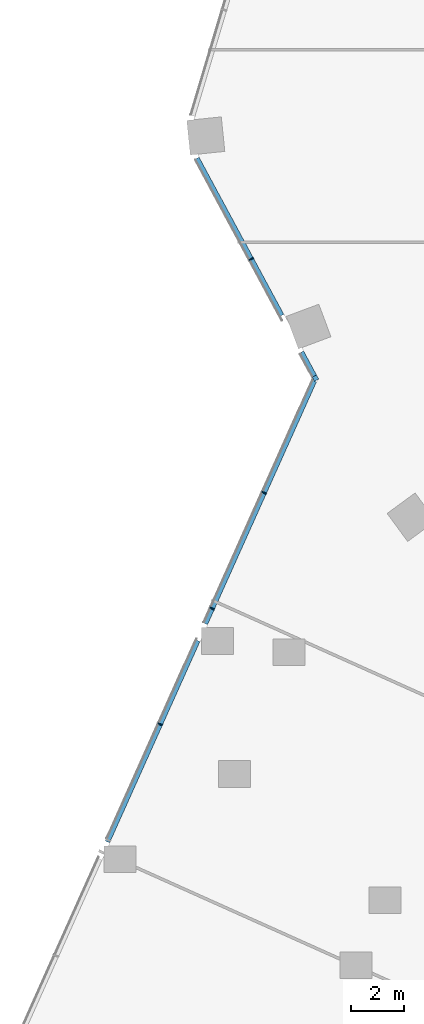
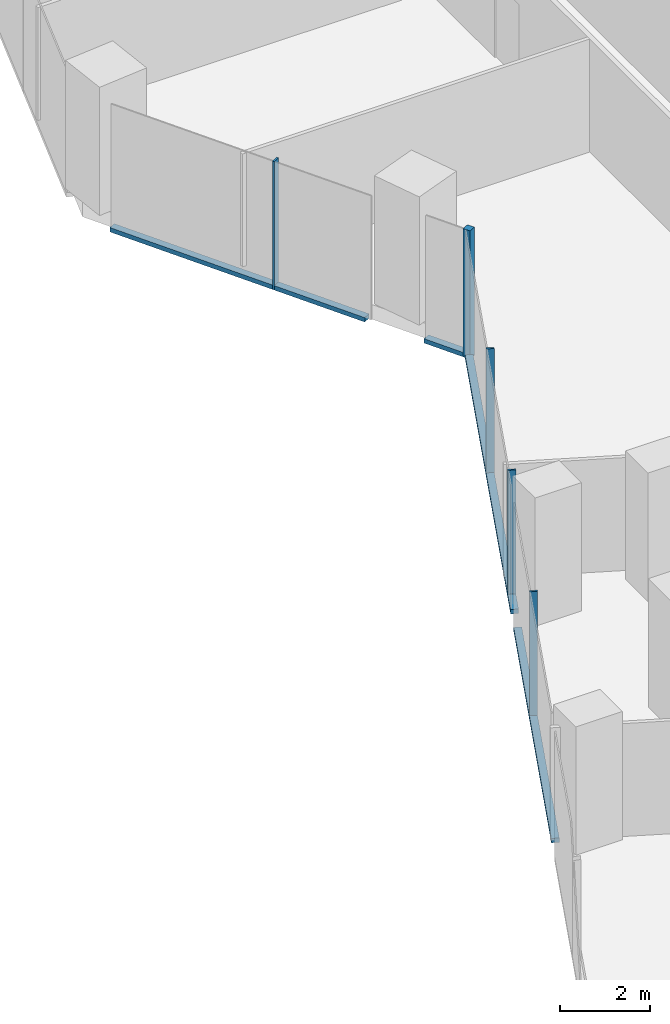
# One storey, part 6 of 34: 9 members, 2 elements without a shape of their own.
"""IFC4 building model written with IfcOpenShell, lengths in metres."""

from ifc_helpers import new_model, si_unit, direction, frame, origin, origin_2d, place, context, subcontext, project, spatial, rectangle, extrude, material, material_profile, profile_set, type_object, element, aggregate, save


model = new_model("IFC4")

# Units and contexts
model_context = context("Model", 3, precision=1e-05, world=origin(), true_north=direction((0.0, 1.0)))
body_context = subcontext(model_context, "Body", "Model", "MODEL_VIEW")
ifc_project = project(units=[si_unit("LENGTHUNIT", "METRE"), si_unit("AREAUNIT", "SQUARE_METRE"), si_unit("VOLUMEUNIT", "CUBIC_METRE"), si_unit("PLANEANGLEUNIT", "RADIAN"), si_unit("MASSUNIT", "GRAM", prefix="KILO")], contexts=[model_context])

# Site, building, storey
site_placement = place(None, origin())
site = spatial("IfcSite", under=ifc_project, at=site_placement, CompositionType="ELEMENT")
building_placement = place(site_placement, origin())
building = spatial("IfcBuilding", under=site, at=building_placement, Name="Orlundy Tower", CompositionType="ELEMENT")
storey_placement = place(building_placement, frame((0.0, 0.0, 130.699951171875)))
storey = spatial("IfcBuildingStorey", under=building, at=storey_placement, Name="L33", CompositionType="ELEMENT", Elevation=130.699951171875)

# Curtain wall, member
ifc_material_1 = material(Name="Aluminium bronze anodised", Category="aluminium")
curtain_wall_type = type_object("IfcCurtainWallType", Name="CW1 wall", PredefinedType="NOTDEFINED", material=ifc_material_1)
curtain_wall_1_placement = place(storey_placement, origin())
curtain_wall_1 = element("IfcCurtainWall", 1, at=curtain_wall_1_placement, inside=storey, type_object=curtain_wall_type, Name="CW1 run 01", PredefinedType="NOTDEFINED")
ifc_material_2 = material(Name="Aluminium bronze anodised", Category="aluminium")
ifc_material_profile_1 = material_profile(ifc_material_2, rectangle(XDim=0.179931640625, YDim=0.179931640625, at=origin_2d()), Name="CW1 corner post 180x180")
ifc_profile_set_1 = profile_set([ifc_material_profile_1], Name="Aluminium bronze anodised")
member_type_1 = type_object("IfcMemberType", Name="CW1 corner post 180x180", PredefinedType="MULLION", material=ifc_profile_set_1)
member_1_placement = place(storey_placement, frame((-27.545166015625, -12.314697265625, -0.39990234375), z_axis=(0.0, 0.0, 1.0), x_axis=(-0.880188659482, -0.4746239814, 0.0)))
member_1 = element("IfcMember", 2, at=member_1_placement, type_object=member_type_1, Name="CW1 mullion 7", PredefinedType="MULLION", context=body_context, shape_type="SweptSolid", body=[
    extrude(rectangle(XDim=0.179931640625, YDim=0.179931640625, at=origin_2d()), origin(), (0.0, 0.0, 1.0), 3.5),
])

# Curtain wall, members
curtain_wall_2_placement = place(storey_placement, origin())
curtain_wall_2 = element("IfcCurtainWall", 3, at=curtain_wall_2_placement, inside=storey, type_object=curtain_wall_type, Name="CW1 run 00", PredefinedType="NOTDEFINED")
ifc_material_3 = material(Name="Aluminium bronze anodised", Category="aluminium")
ifc_material_profile_2 = material_profile(ifc_material_3, rectangle(XDim=0.179931640625, YDim=0.050048828125, at=origin_2d()), Name="CW1 mullion 50x180")
ifc_profile_set_2 = profile_set([ifc_material_profile_2], Name="Aluminium bronze anodised")
member_type_2 = type_object("IfcMemberType", Name="CW1 mullion 50x180", PredefinedType="MULLION", material=ifc_profile_set_2)
member_2_placement = place(storey_placement, frame((-33.36767578125, -25.28955078125, -0.39990234375), z_axis=(0.0, 0.0, 1.0), x_axis=(-0.912353169834, 0.409404071174, 0.0)))
member_2 = element("IfcMember", 4, at=member_2_placement, type_object=member_type_2, Name="CW1 mullion 4", PredefinedType="MULLION", context=body_context, shape_type="SweptSolid", body=[
    extrude(rectangle(XDim=0.179931640625, YDim=0.050048828125, at=origin_2d()), origin(), (0.0, 0.0, 1.0), 3.5),
])
member_3_placement = place(storey_placement, frame((-31.4208984375, -20.951171875, -0.39990234375), z_axis=(0.0, 0.0, 1.0), x_axis=(-0.912353169834, 0.409404071174, 0.0)))
member_3 = element("IfcMember", 5, at=member_3_placement, type_object=member_type_2, Name="CW1 mullion 5", PredefinedType="MULLION", context=body_context, shape_type="SweptSolid", body=[
    extrude(rectangle(XDim=0.179931640625, YDim=0.050048828125, at=origin_2d()), origin(), (0.0, 0.0, 1.0), 3.5),
])
member_4_placement = place(storey_placement, frame((-29.473876953125, -16.612548828125, -0.39990234375), z_axis=(0.0, 0.0, 1.0), x_axis=(-0.912353169834, 0.409404071174, 0.0)))
member_4 = element("IfcMember", 6, at=member_4_placement, type_object=member_type_2, Name="CW1 mullion 6", PredefinedType="MULLION", context=body_context, shape_type="SweptSolid", body=[
    extrude(rectangle(XDim=0.179931640625, YDim=0.050048828125, at=origin_2d()), origin(), (0.0, 0.0, 1.0), 3.5),
])

# Member
member_5_placement = place(storey_placement, frame((-29.95361328125, -7.84814453125, -0.39990234375), z_axis=(0.0, 0.0, 1.0), x_axis=(-0.880188659482, -0.4746239814, 0.0)))
member_5 = element("IfcMember", 7, at=member_5_placement, type_object=member_type_2, Name="CW1 mullion 8", PredefinedType="MULLION", context=body_context, shape_type="SweptSolid", body=[
    extrude(rectangle(XDim=0.179931640625, YDim=0.050048828125, at=origin_2d()), origin(), (0.0, 0.0, 1.0), 3.5),
])

ifc_material_4 = material(Name="Aluminium bronze anodised", Category="aluminium")
ifc_material_profile_3 = material_profile(ifc_material_4, rectangle(XDim=0.179931640625, YDim=0.1201171875, at=origin_2d()), Name="CW1 transom 180x120")
ifc_profile_set_3 = profile_set([ifc_material_profile_3], Name="Aluminium bronze anodised")
member_type_3 = type_object("IfcMemberType", Name="CW1 transom 180x120", PredefinedType="USERDEFINED", material=ifc_profile_set_3)
member_6_placement = place(storey_placement, frame((-35.344970703125, -29.696044921875, -0.33984375), z_axis=(0.409415362289, 0.91234810304, 0.0), x_axis=(-0.91234810304, 0.409415362289, 0.0)))
member_6 = element("IfcMember", 8, at=member_6_placement, type_object=member_type_3, Name="CW1 transom", ObjectType="TRANSOM", PredefinedType="USERDEFINED", context=body_context, shape_type="SweptSolid", body=[
    extrude(rectangle(XDim=0.179931640625, YDim=0.1201171875, at=origin_2d()), origin(), (0.0, 0.0, 1.0), 8.267822265625),
])

member_7_placement = place(storey_placement, frame((-31.67431640625, -21.51611328125, -0.33984375), z_axis=(0.40940244043, 0.912353901603, 0.0), x_axis=(-0.912353901603, 0.40940244043, 0.0)))
member_7 = element("IfcMember", 9, at=member_7_placement, type_object=member_type_3, Name="CW1 transom", ObjectType="TRANSOM", PredefinedType="USERDEFINED", context=body_context, shape_type="SweptSolid", body=[
    extrude(rectangle(XDim=0.179931640625, YDim=0.1201171875, at=origin_2d()), origin(), (0.0, 0.0, 1.0), 9.971923828125),
])

aggregate(curtain_wall_2, [member_2, member_3, member_4, member_6, member_7])

member_8_placement = place(storey_placement, frame((-27.587890625, -12.2353515625, -0.33984375), z_axis=(-0.474768358729, 0.880110791634, 0.0), x_axis=(-0.880110791634, -0.474768358729, 0.0)))
member_8 = element("IfcMember", 10, at=member_8_placement, type_object=member_type_3, Name="CW1 transom", ObjectType="TRANSOM", PredefinedType="USERDEFINED", context=body_context, shape_type="SweptSolid", body=[
    extrude(rectangle(XDim=0.179931640625, YDim=0.1201171875, at=origin_2d()), origin(), (0.0, 0.0, 1.0), 1.0234375),
])

member_9_placement = place(storey_placement, frame((-28.814208984375, -9.96142578125, -0.33984375), z_axis=(-0.474628470518, 0.8801862388, 0.0), x_axis=(-0.8801862388, -0.474628470518, 0.0)))
member_9 = element("IfcMember", 11, at=member_9_placement, type_object=member_type_3, Name="CW1 transom", ObjectType="TRANSOM", PredefinedType="USERDEFINED", context=body_context, shape_type="SweptSolid", body=[
    extrude(rectangle(XDim=0.179931640625, YDim=0.1201171875, at=origin_2d()), origin(), (0.0, 0.0, 1.0), 6.691162109375),
])

aggregate(curtain_wall_1, [member_1, member_5, member_8, member_9])

save(model, "model.ifc")
